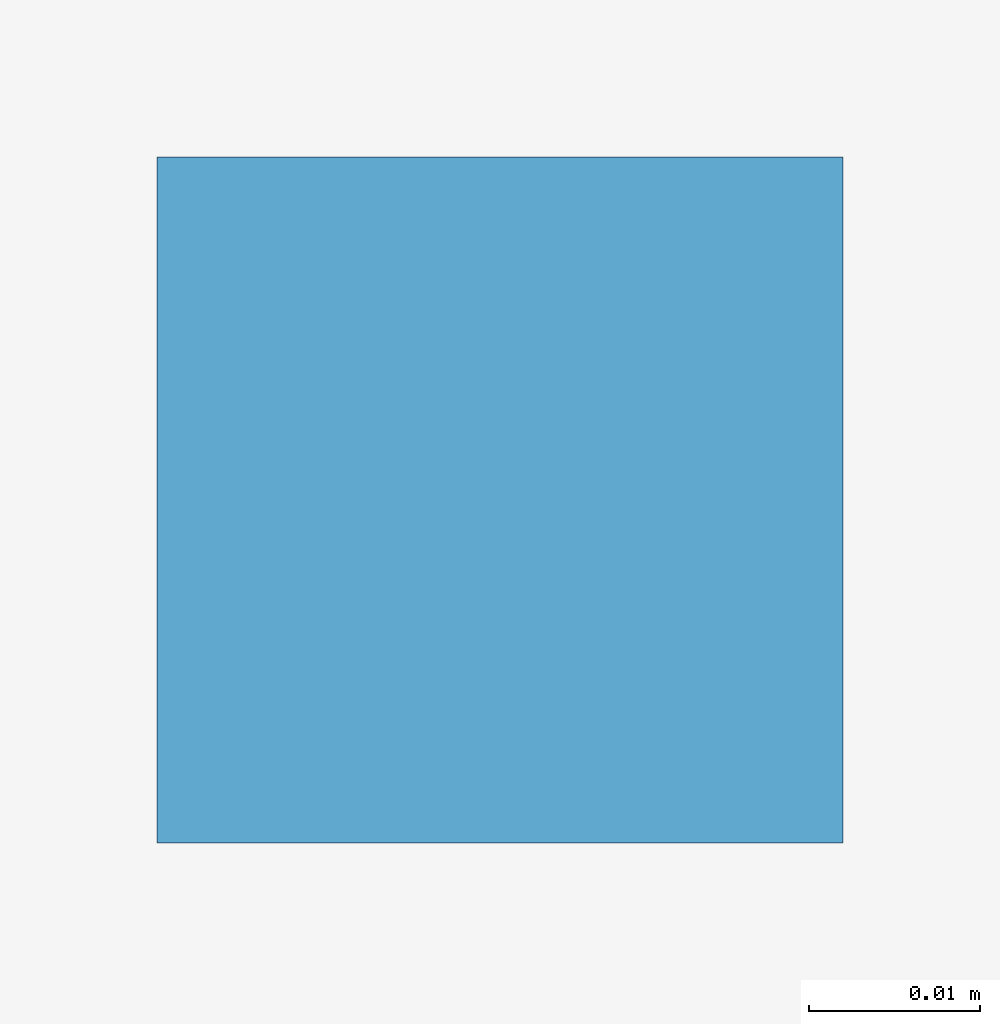
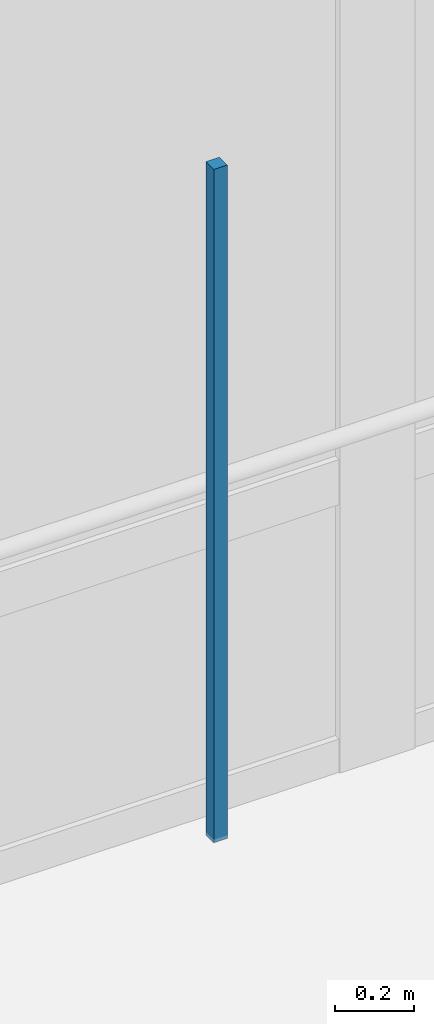
# One storey, part 107 of 157: 1 discrete accessory.
"""IFC4 building model written with IfcOpenShell, lengths in metres."""

from ifc_helpers import new_model, si_unit, direction, frame, origin, origin_2d, place, context, subcontext, project, spatial, rectangle, extrude, material, type_object, element, save


model = new_model("IFC4")

# Units and contexts
model_context = context("Model", 3, precision=1e-05, world=origin(), true_north=direction((0.0, 1.0)))
body_context = subcontext(model_context, "Body", "Model", "MODEL_VIEW")
ifc_project = project(units=[si_unit("LENGTHUNIT", "METRE"), si_unit("AREAUNIT", "SQUARE_METRE"), si_unit("VOLUMEUNIT", "CUBIC_METRE"), si_unit("PLANEANGLEUNIT", "RADIAN"), si_unit("MASSUNIT", "GRAM", prefix="KILO")], contexts=[model_context])

# Site, building, storey
site_placement = place(None, origin())
site = spatial("IfcSite", under=ifc_project, at=site_placement, CompositionType="ELEMENT")
building_placement = place(site_placement, origin())
building = spatial("IfcBuilding", under=site, at=building_placement, Name="Varncliffe General Hospital", CompositionType="ELEMENT")
storey_placement = place(building_placement, frame((0.0, 0.0, 5.39990234375)))
storey = spatial("IfcBuildingStorey", under=building, at=storey_placement, Name="L01", CompositionType="ELEMENT", Elevation=5.39990234375)

# Discrete accessory
ifc_material = material(Name="Powder-coated hospital steel guardrail and handrail", Category="steel")
discrete_accessory_type = type_object("IfcDiscreteAccessoryType", Name="Suspended Ceiling Hanger Bracket CH01", PredefinedType="BRACKET", material=ifc_material)
discrete_accessory_placement = place(storey_placement, frame((88.199951171875, 11.530029296875, 3.18994140625), z_axis=(0.0, 0.0, 1.0), x_axis=(1.0, 0.0, 0.0)))
element("IfcDiscreteAccessory", 1, at=discrete_accessory_placement, inside=storey, type_object=discrete_accessory_type, Name="L01 Suspended Ceiling Hanger 124", PredefinedType="BRACKET", context=body_context, shape_type="SweptSolid", body=[
    extrude(rectangle(XDim=0.0400390625, YDim=0.0400390625, at=origin_2d()), origin(), (0.0, 0.0, 1.0), 2.090087890625),
])

save(model, "model.ifc")
